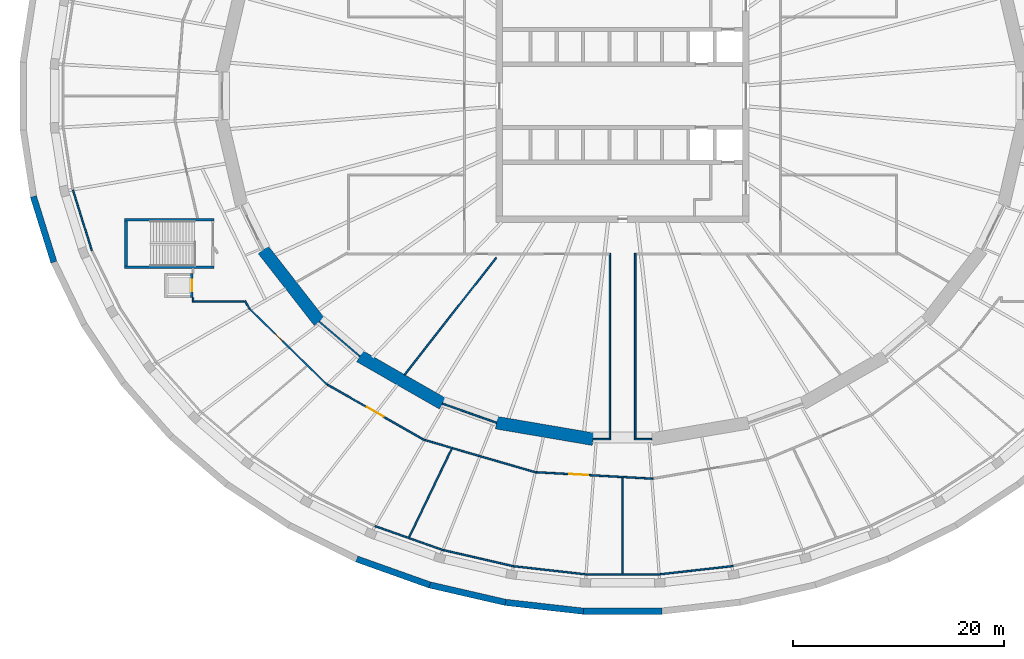
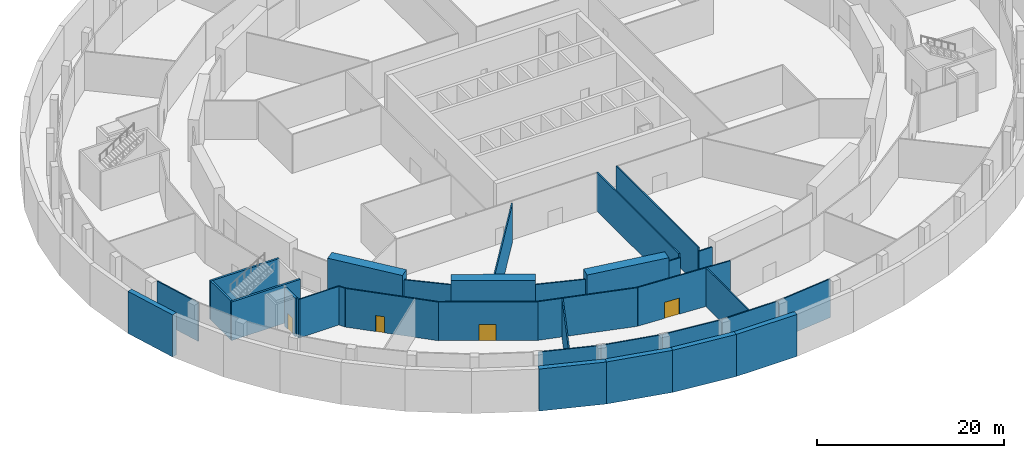
# One storey, part 5 of 14: 34 walls, 4 doors, 4 openings.
"""IFC4 building model written with IfcOpenShell, lengths in metres."""

from ifc_helpers import new_model, si_unit, direction, frame, frame_2d, origin, place, context, subcontext, project, spatial, polyline, rectangle, outline, extrude, material, layer, layer_set, type_object, element, fill, save


model = new_model("IFC4")

# Units and contexts
model_context = context("Model", 3, precision=1e-05, world=origin(), true_north=direction((0.0, 1.0)))
body_context = subcontext(model_context, "Body", "Model", "MODEL_VIEW")
ifc_project = project(units=[si_unit("LENGTHUNIT", "METRE"), si_unit("AREAUNIT", "SQUARE_METRE"), si_unit("VOLUMEUNIT", "CUBIC_METRE"), si_unit("PLANEANGLEUNIT", "RADIAN"), si_unit("MASSUNIT", "GRAM", prefix="KILO")], contexts=[model_context])

# Site, building, storey
site_placement = place(None, origin())
site = spatial("IfcSite", under=ifc_project, at=site_placement, CompositionType="ELEMENT")
building_placement = place(site_placement, origin())
building = spatial("IfcBuilding", under=site, at=building_placement, Name="Halqa Exchange Tower", CompositionType="ELEMENT")
storey_placement = place(building_placement, frame((0.0, 0.0, -9.5)))
storey = spatial("IfcBuildingStorey", under=building, at=storey_placement, Name="B2", CompositionType="ELEMENT", Elevation=-9.5)

# Walls
ifc_material_1 = material(Name="Fire-rated gypsum board")
ifc_layer_1 = layer(ifc_material_1, 0.14990234375)
ifc_layer_set_1 = layer_set([ifc_layer_1], Name="Fire-rated gypsum board")
wall_type_1 = type_object("IfcWallType", Name="Fire partition EI 60 150", PredefinedType="PARTITIONING", material=ifc_layer_set_1)
wall_1_placement = place(storey_placement, frame((-52.15380859375, -8.93408203125, 0.0), z_axis=(0.0, 0.0, 1.0), x_axis=(0.297729429636, -0.954650295516, 0.0)))
element("IfcWall", 1, at=wall_1_placement, inside=storey, type_object=wall_type_1, Name="B2-PWL-004", PredefinedType="PARTITIONING", context=body_context, shape_type="SweptSolid", body=[
    extrude(rectangle(XDim=6.013916015625, YDim=0.14990234375, at=frame_2d((3.0068359375, 0.0))), origin(), (0.0, 0.0, 1.0), 5.050048828125),
])
wall_2_placement = place(storey_placement, frame((-40.75, -19.574951171875, 0.0), z_axis=(0.0, 0.0, 1.0), x_axis=(0.0, 1.0, 0.0)))
element("IfcWall", 2, at=wall_2_placement, inside=storey, type_object=wall_type_1, Name="B2-PWL-015", PredefinedType="PARTITIONING", context=body_context, shape_type="SweptSolid", body=[
    extrude(rectangle(XDim=0.425048828125, YDim=0.14990234375, at=frame_2d((0.21240234375, 0.0))), origin(), (0.0, 0.0, 1.0), 5.050048828125),
])
wall_3_placement = place(storey_placement, frame((-35.890380859375, -19.5, 0.0), z_axis=(0.0, 0.0, 1.0), x_axis=(-1.0, 0.0, 0.0)))
element("IfcWall", 3, at=wall_3_placement, inside=storey, type_object=wall_type_1, Name="B2-PWL-026", PredefinedType="PARTITIONING", context=body_context, shape_type="SweptSolid", body=[
    extrude(outline(polyline([(0.044921875, -0.074951171875), (4.78466796875, -0.074951171875), (4.78466796875, 0.074951171875), (-0.044921875, 0.074951171875), (0.044921875, -0.074951171875)])), origin(), (0.0, 0.0, 1.0), 5.050048828125),
])
wall_4_placement = place(storey_placement, frame((-35.834716796875, -19.448486328125, 0.0), z_axis=(0.0, 0.0, 1.0), x_axis=(0.502102221325, -0.86480827895, 0.0)))
element("IfcWall", 4, at=wall_4_placement, inside=storey, type_object=wall_type_1, Name="B2-PWL-027", PredefinedType="PARTITIONING", context=body_context, shape_type="SweptSolid", body=[
    extrude(rectangle(XDim=0.884521484375, YDim=0.14990234375, at=frame_2d((0.4423828125, 0.0))), origin(), (0.0, 0.0, 1.0), 5.050048828125),
])

# Wall, opening, door
wall_5_placement = place(storey_placement, frame((-35.388671875, -20.21142578125, 0.0), z_axis=(0.0, 0.0, 1.0), x_axis=(0.714900505887, -0.699226191359, 0.0)))
wall_5 = element("IfcWall", 5, at=wall_5_placement, inside=storey, type_object=wall_type_1, Name="B2-PWL-029", PredefinedType="PARTITIONING", context=body_context, shape_type="SweptSolid", body=[
    extrude(rectangle(XDim=10.295654296875, YDim=0.14990234375, at=frame_2d((5.14794921875, 0.0))), origin(), (0.0, 0.0, 1.0), 5.050048828125),
])
opening_1_placement = place(wall_5_placement, frame((3.352783203125, 0.0, 0.0)))
opening_1 = element("IfcOpeningElement", 6, at=opening_1_placement, cuts=wall_5, Name="Opening B2-30", PredefinedType="OPENING", context=body_context, shape_type="SweptSolid", body=[
    extrude(rectangle(XDim=1.0, YDim=2.10009765625, at=frame_2d((0.5, 1.050048828125))), frame((0.0, 0.0869140625, 0.0), z_axis=(0.0, -1.0, 0.0), x_axis=(1.0, 0.0, 0.0)), (0.0, 0.0, 1.0), 0.173828125),
])
ifc_material_2 = material(Name="Steel fire door leaf", Category="steel")
door_type_1 = type_object("IfcDoorType", Name="Fire door FD30S 1000 x 2100", OperationType="SINGLE_SWING_LEFT", PredefinedType="DOOR", material=ifc_material_2)
door_1_placement = place(opening_1_placement, origin())
door_1 = element("IfcDoor", 7, at=door_1_placement, inside=storey, type_object=door_type_1, Name="B2-IDR-030", OperationType="SINGLE_SWING_LEFT", OverallHeight=2.10009765625, OverallWidth=1.0, PredefinedType="DOOR", context=body_context, shape_type="SweptSolid", body=[
    extrude(rectangle(XDim=1.0, YDim=2.10009765625, at=frame_2d((0.5, 1.050048828125))), frame((0.0, 0.02490234375, 0.0), z_axis=(0.0, -1.0, 0.0), x_axis=(1.0, 0.0, 0.0)), (0.0, 0.0, 1.0), 0.050048828125),
])
fill(opening_1, door_1)

# Walls
wall_6_placement = place(storey_placement, frame((-28.789306640625, -21.41064453125, 0.0), z_axis=(0.0, 0.0, 1.0), x_axis=(0.760084552743, -0.649824185978, 0.0)))
element("IfcWall", 8, at=wall_6_placement, inside=storey, type_object=wall_type_1, Name="B2-PWL-037", PredefinedType="PARTITIONING", context=body_context, shape_type="SweptSolid", body=[
    extrude(outline(polyline([(-0.015380859375, -0.074951171875), (5.089111328125, -0.074951171875), (5.060791015625, 0.074951171875), (0.015380859375, 0.074951171875), (-0.015380859375, -0.074951171875)])), origin(), (0.0, 0.0, 1.0), 4.60009765625),
])
wall_7_placement = place(storey_placement, frame((-23.489501953125, -40.818603515625, 0.0), z_axis=(0.0, 0.0, 1.0), x_axis=(0.942678523295, -0.333702265079, 0.0)))
element("IfcWall", 9, at=wall_7_placement, inside=storey, type_object=wall_type_1, Name="B2-PWL-048", PredefinedType="PARTITIONING", context=body_context, shape_type="SweptSolid", body=[
    extrude(rectangle(XDim=6.831787109375, YDim=0.14990234375, at=frame_2d((3.416015625, 0.0))), origin(), (0.0, 0.0, 1.0), 5.050048828125),
])
wall_8_placement = place(storey_placement, frame((-20.679931640625, -26.449951171875, 0.0), z_axis=(0.0, 0.0, 1.0), x_axis=(0.616465586388, 0.787381851962, 0.0)))
element("IfcWall", 10, at=wall_8_placement, inside=storey, type_object=wall_type_1, Name="B2-PWL-050", PredefinedType="PARTITIONING", context=body_context, shape_type="SweptSolid", body=[
    extrude(outline(polyline([(0.010986328125, -0.074951171875), (14.099853515625, -0.074951171875), (14.099853515625, 0.074951171875), (-0.010986328125, 0.074951171875), (0.010986328125, -0.074951171875)])), origin(), (0.0, 0.0, 1.0), 5.050048828125),
])

# Wall, opening, door
wall_9_placement = place(storey_placement, frame((-18.774169921875, -32.67919921875, 0.0), z_axis=(0.0, 0.0, 1.0), x_axis=(-0.867830645151, 0.496860112444, 0.0)))
wall_9 = element("IfcWall", 11, at=wall_9_placement, inside=storey, type_object=wall_type_1, Name="B2-PWL-052", PredefinedType="PARTITIONING", context=body_context, shape_type="SweptSolid", body=[
    extrude(rectangle(XDim=10.64306640625, YDim=0.14990234375, at=frame_2d((5.321533203125, 0.0))), origin(), (0.0, 0.0, 1.0), 5.050048828125),
])
opening_2_placement = place(wall_9_placement, frame((4.522705078125, 0.0, 0.0)))
opening_2 = element("IfcOpeningElement", 12, at=opening_2_placement, cuts=wall_9, Name="Opening B2-31", PredefinedType="OPENING", context=body_context, shape_type="SweptSolid", body=[
    extrude(rectangle(XDim=1.800048828125, YDim=2.10009765625, at=frame_2d((0.89990234375, 1.050048828125))), frame((0.0, 0.0869140625, 0.0), z_axis=(0.0, -1.0, 0.0), x_axis=(1.0, 0.0, 0.0)), (0.0, 0.0, 1.0), 0.173828125),
])
door_type_2 = type_object("IfcDoorType", Name="Fire door FD30S double 1800 x 2100", OperationType="DOUBLE_DOOR_SINGLE_SWING", PredefinedType="DOOR", material=ifc_material_2)
door_2_placement = place(opening_2_placement, origin())
door_2 = element("IfcDoor", 13, at=door_2_placement, inside=storey, type_object=door_type_2, Name="B2-IDR-031", OperationType="DOUBLE_DOOR_SINGLE_SWING", OverallHeight=2.10009765625, OverallWidth=1.800048828125, PredefinedType="DOOR", context=body_context, shape_type="SweptSolid", body=[
    extrude(rectangle(XDim=1.800048828125, YDim=2.10009765625, at=frame_2d((0.89990234375, 1.050048828125))), frame((0.0, 0.02490234375, 0.0), z_axis=(0.0, -1.0, 0.0), x_axis=(1.0, 0.0, 0.0)), (0.0, 0.0, 1.0), 0.050048828125),
])
fill(opening_2, door_2)

# Walls
wall_10_placement = place(storey_placement, frame((-18.762939453125, -32.658203125, 0.0), z_axis=(0.0, 0.0, 1.0), x_axis=(0.960103579148, -0.279644626818, 0.0)))
element("IfcWall", 14, at=wall_10_placement, inside=storey, type_object=wall_type_1, Name="B2-PWL-053", PredefinedType="PARTITIONING", context=body_context, shape_type="SweptSolid", body=[
    extrude(rectangle(XDim=10.974853515625, YDim=0.14990234375, at=frame_2d((5.4873046875, 0.0))), origin(), (0.0, 0.0, 1.0), 5.050048828125),
])
wall_11_placement = place(storey_placement, frame((-17.0908203125, -29.19970703125, 0.0), z_axis=(0.0, 0.0, 1.0), x_axis=(0.942814385805, -0.333318217204, 0.0)))
element("IfcWall", 15, at=wall_11_placement, inside=storey, type_object=wall_type_1, Name="B2-PWL-055", PredefinedType="PARTITIONING", context=body_context, shape_type="SweptSolid", body=[
    extrude(outline(polyline([(-0.013671875, -0.074951171875), (5.44775390625, -0.074951171875), (5.421875, 0.074951171875), (0.013671875, 0.074951171875), (-0.013671875, -0.074951171875)])), origin(), (0.0, 0.0, 1.0), 4.60009765625),
])
wall_12_placement = place(storey_placement, frame((-16.2041015625, -33.480712890625, 0.0), z_axis=(0.0, 0.0, 1.0), x_axis=(-0.435389941519, -0.90024196682, 0.0)))
element("IfcWall", 16, at=wall_12_placement, inside=storey, type_object=wall_type_1, Name="B2-PWL-056", PredefinedType="PARTITIONING", context=body_context, shape_type="SweptSolid", body=[
    extrude(outline(polyline([(0.0126953125, -0.074951171875), (9.339111328125, -0.074951171875), (9.322509765625, 0.074951171875), (-0.0126953125, 0.074951171875), (0.0126953125, -0.074951171875)])), origin(), (0.0, 0.0, 1.0), 5.050048828125),
])
wall_13_placement = place(storey_placement, frame((-10.316650390625, -44.63916015625, 0.0), z_axis=(0.0, 0.0, 1.0), x_axis=(-0.974487031509, 0.224443813504, 0.0)))
element("IfcWall", 17, at=wall_13_placement, inside=storey, type_object=wall_type_1, Name="B2-PWL-063", PredefinedType="PARTITIONING", context=body_context, shape_type="SweptSolid", body=[
    extrude(rectangle(XDim=6.90625, YDim=0.14990234375, at=frame_2d((3.453125, 0.0))), origin(), (0.0, 0.0, 1.0), 5.050048828125),
])

# Wall, opening, door
wall_14_placement = place(storey_placement, frame((-8.22021484375, -35.70556640625, 0.0), z_axis=(0.0, 0.0, 1.0), x_axis=(0.998446411546, -0.055720402649, 0.0)))
wall_14 = element("IfcWall", 18, at=wall_14_placement, inside=storey, type_object=wall_type_1, Name="B2-PWL-065", PredefinedType="PARTITIONING", context=body_context, shape_type="SweptSolid", body=[
    extrude(rectangle(XDim=11.124755859375, YDim=0.14990234375, at=frame_2d((5.5625, 0.0))), origin(), (0.0, 0.0, 1.0), 5.050048828125),
])
opening_3_placement = place(wall_14_placement, frame((3.181396484375, 0.0, 0.0)))
opening_3 = element("IfcOpeningElement", 19, at=opening_3_placement, cuts=wall_14, Name="Opening B2-32", PredefinedType="OPENING", context=body_context, shape_type="SweptSolid", body=[
    extrude(rectangle(XDim=1.800048828125, YDim=2.10009765625, at=frame_2d((0.89990234375, 1.050048828125))), frame((0.0, 0.0869140625, 0.0), z_axis=(0.0, -1.0, 0.0), x_axis=(1.0, 0.0, 0.0)), (0.0, 0.0, 1.0), 0.173828125),
])
door_3_placement = place(opening_3_placement, frame((1.800048828125, 0.0, 0.0), z_axis=(0.0, 0.0, 1.0), x_axis=(-1.0, 0.0, 0.0)))
door_3 = element("IfcDoor", 20, at=door_3_placement, inside=storey, type_object=door_type_2, Name="B2-IDR-032", OperationType="DOUBLE_DOOR_SINGLE_SWING", OverallHeight=2.10009765625, OverallWidth=1.800048828125, PredefinedType="DOOR", context=body_context, shape_type="SweptSolid", body=[
    extrude(rectangle(XDim=1.800048828125, YDim=2.10009765625, at=frame_2d((0.89990234375, 1.050048828125))), frame((0.0, 0.02490234375, 0.0), z_axis=(0.0, -1.0, 0.0), x_axis=(1.0, 0.0, 0.0)), (0.0, 0.0, 1.0), 0.050048828125),
])
fill(opening_3, door_3)

# Walls
wall_15_placement = place(storey_placement, frame((-3.405029296875, -45.40966796875, 0.0), z_axis=(0.0, 0.0, 1.0), x_axis=(-0.993688681101, 0.112173103067, 0.0)))
element("IfcWall", 21, at=wall_15_placement, inside=storey, type_object=wall_type_1, Name="B2-PWL-066", PredefinedType="PARTITIONING", context=body_context, shape_type="SweptSolid", body=[
    extrude(rectangle(XDim=6.953857421875, YDim=0.14990234375, at=frame_2d((3.47705078125, 0.0))), origin(), (0.0, 0.0, 1.0), 5.050048828125),
])
wall_16_placement = place(storey_placement, frame((-3.404541015625, -45.39990234375, 0.0), z_axis=(0.0, 0.0, 1.0), x_axis=(1.0, 0.0, 0.0)))
element("IfcWall", 22, at=wall_16_placement, inside=storey, type_object=wall_type_1, Name="B2-PWL-067", PredefinedType="PARTITIONING", context=body_context, shape_type="SweptSolid", body=[
    extrude(rectangle(XDim=6.97998046875, YDim=0.14990234375, at=frame_2d((3.489990234375, 0.0))), origin(), (0.0, 0.0, 1.0), 5.050048828125),
])
wall_17_placement = place(storey_placement, frame((-2.7880859375, -32.570068359375, 0.0), z_axis=(0.0, 0.0, 1.0), x_axis=(1.0, 0.0, 0.0)))
element("IfcWall", 23, at=wall_17_placement, inside=storey, type_object=wall_type_1, Name="B2-PWL-069", PredefinedType="PARTITIONING", context=body_context, shape_type="SweptSolid", body=[
    extrude(outline(polyline([(-0.0126953125, -0.074951171875), (1.6630859375, -0.074951171875), (1.6630859375, 0.074951171875), (0.0126953125, 0.074951171875), (-0.0126953125, -0.074951171875)])), origin(), (0.0, 0.0, 1.0), 4.60009765625),
])
wall_18_placement = place(storey_placement, frame((-1.199951171875, -32.4951171875, 0.0), z_axis=(0.0, 0.0, 1.0), x_axis=(0.0, 1.0, 0.0)))
element("IfcWall", 24, at=wall_18_placement, inside=storey, type_object=wall_type_1, Name="B2-PWL-071", PredefinedType="PARTITIONING", context=body_context, shape_type="SweptSolid", body=[
    extrude(rectangle(XDim=17.570068359375, YDim=0.14990234375, at=frame_2d((8.78515625, 0.0))), origin(), (0.0, 0.0, 1.0), 5.050048828125),
])
wall_19_placement = place(storey_placement, frame((0.0, -36.238525390625, 0.0), z_axis=(0.0, 0.0, 1.0), x_axis=(0.0, -1.0, 0.0)))
element("IfcWall", 25, at=wall_19_placement, inside=storey, type_object=wall_type_1, Name="B2-PWL-075", PredefinedType="PARTITIONING", context=body_context, shape_type="SweptSolid", body=[
    extrude(outline(polyline([(-0.004150390625, -0.074951171875), (9.08642578125, -0.074951171875), (9.08642578125, 0.074951171875), (0.004150390625, 0.074951171875), (-0.004150390625, -0.074951171875)])), origin(), (0.0, 0.0, 1.0), 5.050048828125),
])
wall_20_placement = place(storey_placement, frame((1.125, -32.570068359375, 0.0), z_axis=(0.0, 0.0, 1.0), x_axis=(1.0, 0.0, 0.0)))
element("IfcWall", 26, at=wall_20_placement, inside=storey, type_object=wall_type_1, Name="B2-PWL-077", PredefinedType="PARTITIONING", context=body_context, shape_type="SweptSolid", body=[
    extrude(outline(polyline([(0.0, -0.074951171875), (1.67578125, -0.074951171875), (1.650390625, 0.074951171875), (0.0, 0.074951171875), (0.0, -0.074951171875)])), origin(), (0.0, 0.0, 1.0), 4.60009765625),
])
wall_21_placement = place(storey_placement, frame((1.199951171875, -14.925048828125, 0.0), z_axis=(0.0, 0.0, 1.0), x_axis=(0.0, -1.0, 0.0)))
element("IfcWall", 27, at=wall_21_placement, inside=storey, type_object=wall_type_1, Name="B2-PWL-078", PredefinedType="PARTITIONING", context=body_context, shape_type="SweptSolid", body=[
    extrude(rectangle(XDim=17.570068359375, YDim=0.14990234375, at=frame_2d((8.78515625, 0.0))), origin(), (0.0, 0.0, 1.0), 5.050048828125),
])
wall_22_placement = place(storey_placement, frame((10.485107421875, -44.6103515625, 0.0), z_axis=(0.0, 0.0, 1.0), x_axis=(-0.993689122847, -0.112169189779, 0.0)))
element("IfcWall", 28, at=wall_22_placement, inside=storey, type_object=wall_type_1, Name="B2-PWL-085", PredefinedType="PARTITIONING", context=body_context, shape_type="SweptSolid", body=[
    extrude(rectangle(XDim=6.9541015625, YDim=0.14990234375, at=frame_2d((3.47705078125, 0.0))), origin(), (0.0, 0.0, 1.0), 5.050048828125),
])

# Wall, opening, door
ifc_material_3 = material(Name="Gypsum board")
ifc_layer_2 = layer(ifc_material_3, 0.25)
ifc_layer_set_2 = layer_set([ifc_layer_2], Name="Gypsum board")
wall_type_2 = type_object("IfcWallType", Name="Penthouse riser wall 250 gypsum", PredefinedType="PARTITIONING", material=ifc_layer_set_2)
wall_23_placement = place(storey_placement, frame((-40.875, -19.14990234375, 0.0), z_axis=(0.0, 0.0, 1.0), x_axis=(0.0, 1.0, 0.0)))
wall_23 = element("IfcWall", 29, at=wall_23_placement, inside=storey, type_object=wall_type_2, Name="Station lift AL4 wall east", PredefinedType="PARTITIONING", context=body_context, shape_type="SweptSolid", body=[
    extrude(rectangle(XDim=2.2998046875, YDim=0.25, at=frame_2d((1.14990234375, 0.0))), origin(), (0.0, 0.0, 1.0), 5.050048828125),
])
opening_4_placement = place(wall_23_placement, frame((0.60009765625, 0.0, 0.0)))
opening_4 = element("IfcOpeningElement", 30, at=opening_4_placement, cuts=wall_23, Name="Opening LD-AL4-B2", PredefinedType="OPENING", context=body_context, shape_type="SweptSolid", body=[
    extrude(rectangle(XDim=1.10009765625, YDim=2.10009765625, at=frame_2d((0.550048828125, 1.050048828125))), frame((0.0, 0.136962890625, 0.0), z_axis=(0.0, -1.0, 0.0), x_axis=(1.0, 0.0, 0.0)), (0.0, 0.0, 1.0), 0.27392578125),
])
ifc_material_4 = material(Name="Stainless steel", Category="steel")
door_type_3 = type_object("IfcDoorType", Name="Lift landing door 1100 x 2100", OperationType="SLIDING_TO_LEFT", PredefinedType="DOOR", material=ifc_material_4)
door_4_placement = place(opening_4_placement, origin())
door_4 = element("IfcDoor", 31, at=door_4_placement, inside=storey, type_object=door_type_3, Name="Lift landing door AL4", OperationType="SLIDING_TO_LEFT", OverallHeight=2.10009765625, OverallWidth=1.10009765625, PredefinedType="DOOR", context=body_context, shape_type="SweptSolid", body=[
    extrude(rectangle(XDim=1.10009765625, YDim=2.10009765625, at=frame_2d((0.550048828125, 1.050048828125))), frame((0.0, 0.02490234375, 0.0), z_axis=(0.0, -1.0, 0.0), x_axis=(1.0, 0.0, 0.0)), (0.0, 0.0, 1.0), 0.050048828125),
])
fill(opening_4, door_4)

# Walls
ifc_material_5 = material(Name="Concrete C40/50", Category="concrete")
ifc_layer_3 = layer(ifc_material_5, 0.60009765625)
ifc_layer_set_3 = layer_set([ifc_layer_3], Name="Concrete C40/50")
wall_type_3 = type_object("IfcWallType", Name="RC basement wall 600", PredefinedType="SOLIDWALL", material=ifc_layer_set_3)
wall_24_placement = place(storey_placement, frame((-55.91162109375, -9.537841796875, 0.0), z_axis=(0.0, 0.0, 1.0), x_axis=(0.297591507632, -0.954693298701, 0.0)))
element("IfcWall", 32, at=wall_24_placement, inside=storey, type_object=wall_type_3, Name="Basement retaining wall", PredefinedType="SOLIDWALL", context=body_context, shape_type="SweptSolid", body=[
    extrude(rectangle(XDim=6.529541015625, YDim=0.60009765625, at=frame_2d((3.2646484375, 0.0))), origin(), (0.0, 0.0, 1.0), 5.5),
])
wall_25_placement = place(storey_placement, frame((-25.227294921875, -43.94091796875, 0.0), z_axis=(0.0, 0.0, 1.0), x_axis=(0.942060991409, -0.33544163198, 0.0)))
element("IfcWall", 33, at=wall_25_placement, inside=storey, type_object=wall_type_3, Name="Basement retaining wall", PredefinedType="SOLIDWALL", context=body_context, shape_type="SweptSolid", body=[
    extrude(rectangle(XDim=7.347412109375, YDim=0.60009765625, at=frame_2d((3.673828125, 0.0))), origin(), (0.0, 0.0, 1.0), 5.5),
])
wall_26_placement = place(storey_placement, frame((-18.3388671875, -46.395751953125, 0.0), z_axis=(0.0, 0.0, 1.0), x_axis=(0.974485322097, -0.224451235276, 0.0)))
element("IfcWall", 34, at=wall_26_placement, inside=storey, type_object=wall_type_3, Name="Basement retaining wall", PredefinedType="SOLIDWALL", context=body_context, shape_type="SweptSolid", body=[
    extrude(rectangle(XDim=7.4248046875, YDim=0.60009765625, at=frame_2d((3.71240234375, 0.0))), origin(), (0.0, 0.0, 1.0), 5.5),
])
wall_27_placement = place(storey_placement, frame((-11.13720703125, -48.056640625, 0.0), z_axis=(0.0, 0.0, 1.0), x_axis=(0.993658203282, -0.112442763445, 0.0)))
element("IfcWall", 35, at=wall_27_placement, inside=storey, type_object=wall_type_3, Name="Basement retaining wall", PredefinedType="SOLIDWALL", context=body_context, shape_type="SweptSolid", body=[
    extrude(rectangle(XDim=7.473388671875, YDim=0.60009765625, at=frame_2d((3.73681640625, 0.0))), origin(), (0.0, 0.0, 1.0), 5.5),
])
wall_28_placement = place(storey_placement, frame((-3.744873046875, -48.89501953125, 0.0), z_axis=(0.0, 0.0, 1.0), x_axis=(1.0, 0.0, 0.0)))
element("IfcWall", 36, at=wall_28_placement, inside=storey, type_object=wall_type_3, Name="Basement retaining wall", PredefinedType="SOLIDWALL", context=body_context, shape_type="SweptSolid", body=[
    extrude(rectangle(XDim=7.48974609375, YDim=0.60009765625, at=frame_2d((3.744873046875, 0.0))), origin(), (0.0, 0.0, 1.0), 5.5),
])
ifc_material_6 = material(Name="Concrete C80/95", Category="concrete")
ifc_layer_4 = layer(ifc_material_6, 1.199951171875)
ifc_layer_set_4 = layer_set([ifc_layer_4], Name="Concrete C80/95")
wall_type_4 = type_object("IfcWallType", Name="RC ring pier 1200 C80/95", PredefinedType="SHEAR", material=ifc_layer_set_4)
wall_29_placement = place(storey_placement, frame((-34.09716796875, -14.60498046875, 0.0), z_axis=(0.0, 0.0, 1.0), x_axis=(0.614825322247, -0.788663314174, 0.0)))
element("IfcWall", 37, at=wall_29_placement, inside=storey, type_object=wall_type_4, Name="Ring pier 10", PredefinedType="SHEAR", context=body_context, shape_type="SweptSolid", body=[
    extrude(rectangle(XDim=8.631591796875, YDim=1.199951171875, at=frame_2d((4.31591796875, 0.0))), origin(), (0.0, 0.0, 1.0), 5.5),
])
wall_30_placement = place(storey_placement, frame((-24.931396484375, -24.705810546875, 0.0), z_axis=(0.0, 0.0, 1.0), x_axis=(0.867760656864, -0.496982336103, 0.0)))
element("IfcWall", 38, at=wall_30_placement, inside=storey, type_object=wall_type_4, Name="Ring pier 11", PredefinedType="SHEAR", context=body_context, shape_type="SweptSolid", body=[
    extrude(rectangle(XDim=9.037841796875, YDim=1.199951171875, at=frame_2d((4.51904296875, 0.0))), origin(), (0.0, 0.0, 1.0), 5.5),
])
wall_31_placement = place(storey_placement, frame((-11.96728515625, -31.00927734375, 0.0), z_axis=(0.0, 0.0, 1.0), x_axis=(0.985776286846, -0.168062822456, 0.0)))
element("IfcWall", 39, at=wall_31_placement, inside=storey, type_object=wall_type_4, Name="Ring pier 12", PredefinedType="SHEAR", context=body_context, shape_type="SweptSolid", body=[
    extrude(rectangle(XDim=9.3115234375, YDim=1.199951171875, at=frame_2d((4.65576171875, 0.0))), origin(), (0.0, 0.0, 1.0), 5.5),
])
ifc_material_7 = material(Name="Concrete C30/37", Category="concrete")
ifc_layer_5 = layer(ifc_material_7, 0.25)
ifc_layer_set_5 = layer_set([ifc_layer_5], Name="Concrete C30/37")
wall_type_5 = type_object("IfcWallType", Name="RC stair wall 250 C30/37", PredefinedType="SHEAR", material=ifc_layer_set_5)
for number, where, z_axis, x_axis, name in (
    (40, (-47.25, -11.75, 0.0), (0.0, 0.0, 1.0), (1.0, 0.0, 0.0), "Stair SS4 wall north"),
    (41, (-47.25, -16.25, 0.0), (0.0, 0.0, 1.0), (1.0, 0.0, 0.0), "Stair SS4 wall south"),
):
    element("IfcWall", number, at=place(storey_placement, frame(where, z_axis=z_axis, x_axis=x_axis)), inside=storey, type_object=wall_type_5, Name=name, PredefinedType="SHEAR", context=body_context, shape_type="SweptSolid", body=[
        extrude(rectangle(XDim=8.5, YDim=0.25, at=frame_2d((4.25, 0.0))), origin(), (0.0, 0.0, 1.0), 5.050048828125),
    ])
wall_32_placement = place(storey_placement, frame((-47.125, -16.125, 0.0), z_axis=(0.0, 0.0, 1.0), x_axis=(0.0, 1.0, 0.0)))
element("IfcWall", 42, at=wall_32_placement, inside=storey, type_object=wall_type_5, Name="Stair SS4 wall west", PredefinedType="SHEAR", context=body_context, shape_type="SweptSolid", body=[
    extrude(rectangle(XDim=4.25, YDim=0.25, at=frame_2d((2.125, 0.0))), origin(), (0.0, 0.0, 1.0), 5.050048828125),
])

save(model, "model.ifc")
